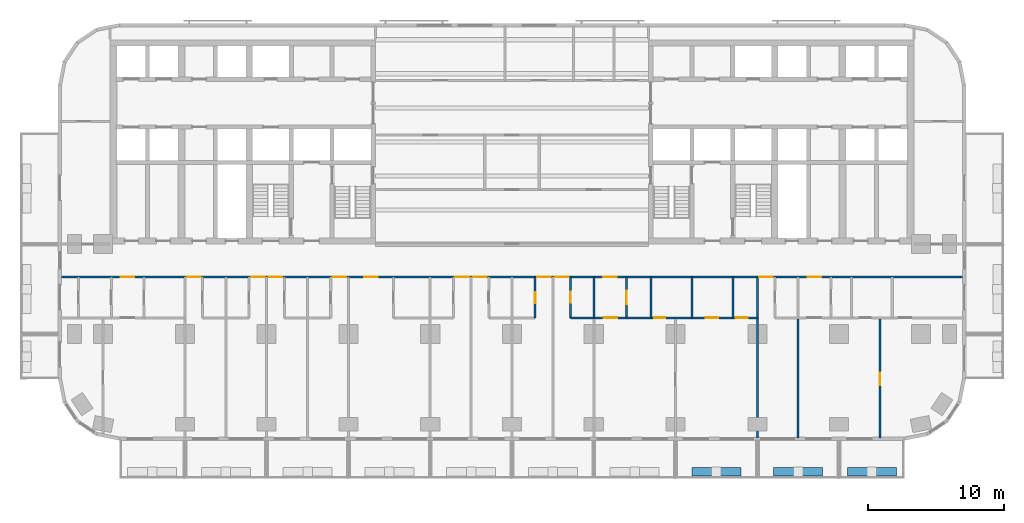
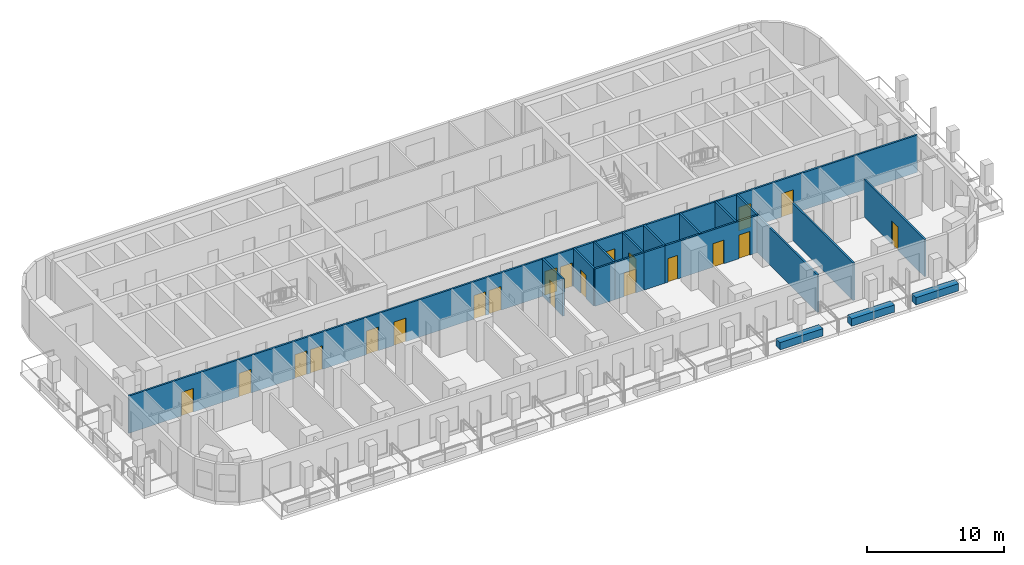
# One storey, part 6 of 15: 21 doors, 18 walls, 21 openings.
"""IFC4 building model written with IfcOpenShell, lengths in metres."""

from ifc_helpers import new_model, si_unit, direction, frame, frame_2d, origin, place, context, subcontext, project, spatial, rectangle, extrude, material, layer, layer_set, type_object, element, fill, save


model = new_model("IFC4")

# Units and contexts
model_context = context("Model", 3, precision=1e-05, world=origin(), true_north=direction((0.0, 1.0)))
body_context = subcontext(model_context, "Body", "Model", "MODEL_VIEW")
ifc_project = project(units=[si_unit("LENGTHUNIT", "METRE"), si_unit("AREAUNIT", "SQUARE_METRE"), si_unit("VOLUMEUNIT", "CUBIC_METRE"), si_unit("PLANEANGLEUNIT", "RADIAN"), si_unit("MASSUNIT", "GRAM", prefix="KILO")], contexts=[model_context])

# Site, building, storey
site_placement = place(None, origin())
site = spatial("IfcSite", under=ifc_project, at=site_placement, CompositionType="ELEMENT")
building_placement = place(site_placement, origin())
building = spatial("IfcBuilding", under=site, at=building_placement, Name="Torana Hotel and Residences", CompositionType="ELEMENT")
storey_placement = place(building_placement, frame((0.0, 0.0, 52.800048828125)))
storey = spatial("IfcBuildingStorey", under=building, at=storey_placement, Name="L12", CompositionType="ELEMENT", Elevation=52.800048828125)

# Wall, opening, door
ifc_material_1 = material(Name="Gypsum plaster")
ifc_layer_1 = layer(ifc_material_1, 0.014892578125, Name="Plaster", Category="finish")
ifc_material_2 = material(Name="Concrete blockwork", Category="masonry")
ifc_layer_2 = layer(ifc_material_2, 0.1201171875, Name="Blockwork", Category="structure")
ifc_layer_3 = layer(ifc_material_1, 0.014892578125, Name="Plaster", Category="finish")
ifc_layer_set_1 = layer_set([ifc_layer_1, ifc_layer_2, ifc_layer_3], Name="FIRE PARTITION 150 BLOCKWORK")
wall_type_1 = type_object("IfcWallType", Name="FIRE PARTITION 150 BLOCKWORK", PredefinedType="PARTITIONING", material=ifc_layer_set_1)
wall_1_placement = place(storey_placement, frame((8.39990234375, -20.39990234375, 0.0), z_axis=(0.0, 0.0, 1.0), x_axis=(0.0, 1.0, 0.0)))
wall_1 = element("IfcWall", 1, at=wall_1_placement, inside=storey, type_object=wall_type_1, Name="Partition L12", PredefinedType="PARTITIONING", context=body_context, shape_type="SweptSolid", body=[
    extrude(rectangle(XDim=3.0, YDim=0.14990234375, at=frame_2d((1.5, 0.0))), origin(), (0.0, 0.0, 1.0), 3.320068359375),
])
opening_1_placement = place(wall_1_placement, frame((1.0, 0.0, 0.0)))
opening_1 = element("IfcOpeningElement", 2, at=opening_1_placement, cuts=wall_1, Name="Opening L12-66", PredefinedType="OPENING", context=body_context, shape_type="SweptSolid", body=[
    extrude(rectangle(XDim=1.0, YDim=2.10009765625, at=frame_2d((0.5, 1.050048828125))), frame((0.0, 0.0849609375, 0.0), z_axis=(0.0, -1.0, 0.0), x_axis=(1.0, 0.0, 0.0)), (0.0, 0.0, 1.0), 0.169921875),
])
ifc_material_3 = material(Name="Steel S235", Category="steel")
door_type_1 = type_object("IfcDoorType", Name="ENTRY FIRE DOOR D6 1000x2100", OperationType="SINGLE_SWING_LEFT", PredefinedType="DOOR", material=ifc_material_3)
door_1_placement = place(opening_1_placement, frame((0.5, 0.0, 0.0), z_axis=(0.0, 0.0, 1.0), x_axis=(-1.0, 0.0, 0.0)))
door_1 = element("IfcDoor", 3, at=door_1_placement, inside=storey, type_object=door_type_1, Name="Door L12", OperationType="SINGLE_SWING_LEFT", OverallHeight=2.10009765625, OverallWidth=1.0, PredefinedType="DOOR", context=body_context, shape_type="SweptSolid", body=[
    extrude(rectangle(XDim=1.0, YDim=2.10009765625, at=frame_2d((0.0, 1.050048828125))), frame((0.0, -0.02490234375, 0.0), z_axis=(0.0, 1.0, 0.0), x_axis=(-1.0, 0.0, 0.0)), (0.0, 0.0, 1.0), 0.050048828125),
])
fill(opening_1, door_1)

# Wall
wall_2_placement = place(storey_placement, frame((6.0, -20.39990234375, 0.0), z_axis=(0.0, 0.0, 1.0), x_axis=(0.0, 1.0, 0.0)))
element("IfcWall", 4, at=wall_2_placement, inside=storey, type_object=wall_type_1, Name="Partition L12", PredefinedType="PARTITIONING", context=body_context, shape_type="SweptSolid", body=[
    extrude(rectangle(XDim=3.0, YDim=0.14990234375, at=frame_2d((1.5, 0.0))), origin(), (0.0, 0.0, 1.0), 3.320068359375),
])

# Wall, opening, door
wall_3_placement = place(storey_placement, frame((6.0, -20.39990234375, 0.0), z_axis=(0.0, 0.0, 1.0), x_axis=(1.0, 0.0, 0.0)))
wall_3 = element("IfcWall", 5, at=wall_3_placement, inside=storey, type_object=wall_type_1, Name="Partition L12", PredefinedType="PARTITIONING", context=body_context, shape_type="SweptSolid", body=[
    extrude(rectangle(XDim=2.39990234375, YDim=0.14990234375, at=frame_2d((1.199951171875, 0.0))), origin(), (0.0, 0.0, 1.0), 3.320068359375),
])
opening_2_placement = place(wall_3_placement, frame((0.72998046875, 0.0, 0.0)))
opening_2 = element("IfcOpeningElement", 6, at=opening_2_placement, cuts=wall_3, Name="Opening L12-67", PredefinedType="OPENING", context=body_context, shape_type="SweptSolid", body=[
    extrude(rectangle(XDim=1.0, YDim=2.10009765625, at=frame_2d((0.5, 1.050048828125))), frame((0.0, 0.0849609375, 0.0), z_axis=(0.0, -1.0, 0.0), x_axis=(1.0, 0.0, 0.0)), (0.0, 0.0, 1.0), 0.169921875),
])
door_2_placement = place(opening_2_placement, frame((0.5, 0.0, 0.0), z_axis=(0.0, 0.0, 1.0), x_axis=(-1.0, 0.0, 0.0)))
door_2 = element("IfcDoor", 7, at=door_2_placement, inside=storey, type_object=door_type_1, Name="Door L12", OperationType="SINGLE_SWING_LEFT", OverallHeight=2.10009765625, OverallWidth=1.0, PredefinedType="DOOR", context=body_context, shape_type="SweptSolid", body=[
    extrude(rectangle(XDim=1.0, YDim=2.10009765625, at=frame_2d((0.0, 1.050048828125))), frame((0.0, -0.02490234375, 0.0), z_axis=(0.0, 1.0, 0.0), x_axis=(-1.0, 0.0, 0.0)), (0.0, 0.0, 1.0), 0.050048828125),
])
fill(opening_2, door_2)

# Wall, openings, doors
wall_4_placement = place(storey_placement, frame((-33.1201171875, -17.39990234375, 0.0), z_axis=(0.0, 0.0, 1.0), x_axis=(1.0, 0.0, 0.0)))
wall_4 = element("IfcWall", 8, at=wall_4_placement, inside=storey, type_object=wall_type_1, Name="Partition L12", PredefinedType="PARTITIONING", context=body_context, shape_type="SweptSolid", body=[
    extrude(rectangle(XDim=66.240234375, YDim=0.14990234375, at=frame_2d((33.1201171875, 0.0))), origin(), (0.0, 0.0, 1.0), 3.320068359375),
])
opening_3_placement = place(wall_4_placement, frame((9.27001953125, 0.0, 0.0)))
opening_3 = element("IfcOpeningElement", 9, at=opening_3_placement, cuts=wall_4, Name="Opening L12-34", PredefinedType="OPENING", context=body_context, shape_type="SweptSolid", body=[
    extrude(rectangle(XDim=1.0, YDim=2.10009765625, at=frame_2d((0.5, 1.050048828125))), frame((0.0, 0.0849609375, 0.0), z_axis=(0.0, -1.0, 0.0), x_axis=(1.0, 0.0, 0.0)), (0.0, 0.0, 1.0), 0.169921875),
])
opening_4_placement = place(wall_4_placement, frame((13.969970703125, 0.0, 0.0)))
opening_4 = element("IfcOpeningElement", 10, at=opening_4_placement, cuts=wall_4, Name="Opening L12-35", PredefinedType="OPENING", context=body_context, shape_type="SweptSolid", body=[
    extrude(rectangle(XDim=1.0, YDim=2.10009765625, at=frame_2d((0.5, 1.050048828125))), frame((0.0, 0.0849609375, 0.0), z_axis=(0.0, -1.0, 0.0), x_axis=(1.0, 0.0, 0.0)), (0.0, 0.0, 1.0), 0.169921875),
])
opening_5_placement = place(wall_4_placement, frame((15.27001953125, 0.0, 0.0)))
opening_5 = element("IfcOpeningElement", 11, at=opening_5_placement, cuts=wall_4, Name="Opening L12-36", PredefinedType="OPENING", context=body_context, shape_type="SweptSolid", body=[
    extrude(rectangle(XDim=1.0, YDim=2.10009765625, at=frame_2d((0.5, 1.050048828125))), frame((0.0, 0.0849609375, 0.0), z_axis=(0.0, -1.0, 0.0), x_axis=(1.0, 0.0, 0.0)), (0.0, 0.0, 1.0), 0.169921875),
])
opening_6_placement = place(wall_4_placement, frame((19.969970703125, 0.0, 0.0)))
opening_6 = element("IfcOpeningElement", 12, at=opening_6_placement, cuts=wall_4, Name="Opening L12-37", PredefinedType="OPENING", context=body_context, shape_type="SweptSolid", body=[
    extrude(rectangle(XDim=1.0, YDim=2.10009765625, at=frame_2d((0.5, 1.050048828125))), frame((0.0, 0.0849609375, 0.0), z_axis=(0.0, -1.0, 0.0), x_axis=(1.0, 0.0, 0.0)), (0.0, 0.0, 1.0), 0.169921875),
])
opening_7_placement = place(wall_4_placement, frame((22.27001953125, 0.0, 0.0)))
opening_7 = element("IfcOpeningElement", 13, at=opening_7_placement, cuts=wall_4, Name="Opening L12-38", PredefinedType="OPENING", context=body_context, shape_type="SweptSolid", body=[
    extrude(rectangle(XDim=1.0, YDim=2.10009765625, at=frame_2d((0.5, 1.050048828125))), frame((0.0, 0.0849609375, 0.0), z_axis=(0.0, -1.0, 0.0), x_axis=(1.0, 0.0, 0.0)), (0.0, 0.0, 1.0), 0.169921875),
])
opening_8_placement = place(wall_4_placement, frame((28.969970703125, 0.0, 0.0)))
opening_8 = element("IfcOpeningElement", 14, at=opening_8_placement, cuts=wall_4, Name="Opening L12-39", PredefinedType="OPENING", context=body_context, shape_type="SweptSolid", body=[
    extrude(rectangle(XDim=1.0, YDim=2.10009765625, at=frame_2d((0.5, 1.050048828125))), frame((0.0, 0.0849609375, 0.0), z_axis=(0.0, -1.0, 0.0), x_axis=(1.0, 0.0, 0.0)), (0.0, 0.0, 1.0), 0.169921875),
])
opening_9_placement = place(wall_4_placement, frame((30.27001953125, 0.0, 0.0)))
opening_9 = element("IfcOpeningElement", 15, at=opening_9_placement, cuts=wall_4, Name="Opening L12-40", PredefinedType="OPENING", context=body_context, shape_type="SweptSolid", body=[
    extrude(rectangle(XDim=1.0, YDim=2.10009765625, at=frame_2d((0.5, 1.050048828125))), frame((0.0, 0.0849609375, 0.0), z_axis=(0.0, -1.0, 0.0), x_axis=(1.0, 0.0, 0.0)), (0.0, 0.0, 1.0), 0.169921875),
])
opening_10_placement = place(wall_4_placement, frame((34.969970703125, 0.0, 0.0)))
opening_10 = element("IfcOpeningElement", 16, at=opening_10_placement, cuts=wall_4, Name="Opening L12-41", PredefinedType="OPENING", context=body_context, shape_type="SweptSolid", body=[
    extrude(rectangle(XDim=1.0, YDim=2.10009765625, at=frame_2d((0.5, 1.050048828125))), frame((0.0, 0.0849609375, 0.0), z_axis=(0.0, -1.0, 0.0), x_axis=(1.0, 0.0, 0.0)), (0.0, 0.0, 1.0), 0.169921875),
])
opening_11_placement = place(wall_4_placement, frame((36.27001953125, 0.0, 0.0)))
opening_11 = element("IfcOpeningElement", 17, at=opening_11_placement, cuts=wall_4, Name="Opening L12-42", PredefinedType="OPENING", context=body_context, shape_type="SweptSolid", body=[
    extrude(rectangle(XDim=1.0, YDim=2.10009765625, at=frame_2d((0.5, 1.050048828125))), frame((0.0, 0.0849609375, 0.0), z_axis=(0.0, -1.0, 0.0), x_axis=(1.0, 0.0, 0.0)), (0.0, 0.0, 1.0), 0.169921875),
])
opening_12_placement = place(wall_4_placement, frame((39.820068359375, 0.0, 0.0)))
opening_12 = element("IfcOpeningElement", 18, at=opening_12_placement, cuts=wall_4, Name="Opening L12-43", PredefinedType="OPENING", context=body_context, shape_type="SweptSolid", body=[
    extrude(rectangle(XDim=1.0, YDim=2.10009765625, at=frame_2d((0.5, 1.050048828125))), frame((0.0, 0.0849609375, 0.0), z_axis=(0.0, -1.0, 0.0), x_axis=(1.0, 0.0, 0.0)), (0.0, 0.0, 1.0), 0.169921875),
])
opening_13_placement = place(wall_4_placement, frame((51.27001953125, 0.0, 0.0)))
opening_13 = element("IfcOpeningElement", 19, at=opening_13_placement, cuts=wall_4, Name="Opening L12-44", PredefinedType="OPENING", context=body_context, shape_type="SweptSolid", body=[
    extrude(rectangle(XDim=1.0, YDim=2.10009765625, at=frame_2d((0.5, 1.050048828125))), frame((0.0, 0.0849609375, 0.0), z_axis=(0.0, -1.0, 0.0), x_axis=(1.0, 0.0, 0.0)), (0.0, 0.0, 1.0), 0.169921875),
])
opening_14_placement = place(wall_4_placement, frame((4.419921875, 0.0, 0.0)))
opening_14 = element("IfcOpeningElement", 20, at=opening_14_placement, cuts=wall_4, Name="Opening L12-45", PredefinedType="OPENING", context=body_context, shape_type="SweptSolid", body=[
    extrude(rectangle(XDim=1.0, YDim=2.10009765625, at=frame_2d((0.5, 1.050048828125))), frame((0.0, 0.0849609375, 0.0), z_axis=(0.0, -1.0, 0.0), x_axis=(1.0, 0.0, 0.0)), (0.0, 0.0, 1.0), 0.169921875),
])
opening_15_placement = place(wall_4_placement, frame((54.820068359375, 0.0, 0.0)))
opening_15 = element("IfcOpeningElement", 21, at=opening_15_placement, cuts=wall_4, Name="Opening L12-46", PredefinedType="OPENING", context=body_context, shape_type="SweptSolid", body=[
    extrude(rectangle(XDim=1.0, YDim=2.10009765625, at=frame_2d((0.5, 1.050048828125))), frame((0.0, 0.0849609375, 0.0), z_axis=(0.0, -1.0, 0.0), x_axis=(1.0, 0.0, 0.0)), (0.0, 0.0, 1.0), 0.169921875),
])
door_3_placement = place(opening_3_placement, frame((0.5, 0.0, 0.0), z_axis=(0.0, 0.0, 1.0), x_axis=(-1.0, 0.0, 0.0)))
door_3 = element("IfcDoor", 22, at=door_3_placement, inside=storey, type_object=door_type_1, Name="Door L12", OperationType="SINGLE_SWING_LEFT", OverallHeight=2.10009765625, OverallWidth=1.0, PredefinedType="DOOR", context=body_context, shape_type="SweptSolid", body=[
    extrude(rectangle(XDim=1.0, YDim=2.10009765625, at=frame_2d((0.0, 1.050048828125))), frame((0.0, -0.02490234375, 0.0), z_axis=(0.0, 1.0, 0.0), x_axis=(-1.0, 0.0, 0.0)), (0.0, 0.0, 1.0), 0.050048828125),
])
fill(opening_3, door_3)
door_4_placement = place(opening_4_placement, frame((0.5, 0.0, 0.0), z_axis=(0.0, 0.0, 1.0), x_axis=(-1.0, 0.0, 0.0)))
door_4 = element("IfcDoor", 23, at=door_4_placement, inside=storey, type_object=door_type_1, Name="Door L12", OperationType="SINGLE_SWING_LEFT", OverallHeight=2.10009765625, OverallWidth=1.0, PredefinedType="DOOR", context=body_context, shape_type="SweptSolid", body=[
    extrude(rectangle(XDim=1.0, YDim=2.10009765625, at=frame_2d((0.0, 1.050048828125))), frame((0.0, -0.02490234375, 0.0), z_axis=(0.0, 1.0, 0.0), x_axis=(-1.0, 0.0, 0.0)), (0.0, 0.0, 1.0), 0.050048828125),
])
fill(opening_4, door_4)
door_5_placement = place(opening_5_placement, frame((0.5, 0.0, 0.0), z_axis=(0.0, 0.0, 1.0), x_axis=(-1.0, 0.0, 0.0)))
door_5 = element("IfcDoor", 24, at=door_5_placement, inside=storey, type_object=door_type_1, Name="Door L12", OperationType="SINGLE_SWING_LEFT", OverallHeight=2.10009765625, OverallWidth=1.0, PredefinedType="DOOR", context=body_context, shape_type="SweptSolid", body=[
    extrude(rectangle(XDim=1.0, YDim=2.10009765625, at=frame_2d((0.0, 1.050048828125))), frame((0.0, -0.02490234375, 0.0), z_axis=(0.0, 1.0, 0.0), x_axis=(-1.0, 0.0, 0.0)), (0.0, 0.0, 1.0), 0.050048828125),
])
fill(opening_5, door_5)
door_6_placement = place(opening_6_placement, frame((0.5, 0.0, 0.0), z_axis=(0.0, 0.0, 1.0), x_axis=(-1.0, 0.0, 0.0)))
door_6 = element("IfcDoor", 25, at=door_6_placement, inside=storey, type_object=door_type_1, Name="Door L12", OperationType="SINGLE_SWING_LEFT", OverallHeight=2.10009765625, OverallWidth=1.0, PredefinedType="DOOR", context=body_context, shape_type="SweptSolid", body=[
    extrude(rectangle(XDim=1.0, YDim=2.10009765625, at=frame_2d((0.0, 1.050048828125))), frame((0.0, -0.02490234375, 0.0), z_axis=(0.0, 1.0, 0.0), x_axis=(-1.0, 0.0, 0.0)), (0.0, 0.0, 1.0), 0.050048828125),
])
fill(opening_6, door_6)
door_7_placement = place(opening_7_placement, frame((0.5, 0.0, 0.0), z_axis=(0.0, 0.0, 1.0), x_axis=(-1.0, 0.0, 0.0)))
door_7 = element("IfcDoor", 26, at=door_7_placement, inside=storey, type_object=door_type_1, Name="Door L12", OperationType="SINGLE_SWING_LEFT", OverallHeight=2.10009765625, OverallWidth=1.0, PredefinedType="DOOR", context=body_context, shape_type="SweptSolid", body=[
    extrude(rectangle(XDim=1.0, YDim=2.10009765625, at=frame_2d((0.0, 1.050048828125))), frame((0.0, -0.02490234375, 0.0), z_axis=(0.0, 1.0, 0.0), x_axis=(-1.0, 0.0, 0.0)), (0.0, 0.0, 1.0), 0.050048828125),
])
fill(opening_7, door_7)
door_8_placement = place(opening_8_placement, frame((0.5, 0.0, 0.0), z_axis=(0.0, 0.0, 1.0), x_axis=(-1.0, 0.0, 0.0)))
door_8 = element("IfcDoor", 27, at=door_8_placement, inside=storey, type_object=door_type_1, Name="Door L12", OperationType="SINGLE_SWING_LEFT", OverallHeight=2.10009765625, OverallWidth=1.0, PredefinedType="DOOR", context=body_context, shape_type="SweptSolid", body=[
    extrude(rectangle(XDim=1.0, YDim=2.10009765625, at=frame_2d((0.0, 1.050048828125))), frame((0.0, -0.02490234375, 0.0), z_axis=(0.0, 1.0, 0.0), x_axis=(-1.0, 0.0, 0.0)), (0.0, 0.0, 1.0), 0.050048828125),
])
fill(opening_8, door_8)
door_9_placement = place(opening_9_placement, frame((0.5, 0.0, 0.0), z_axis=(0.0, 0.0, 1.0), x_axis=(-1.0, 0.0, 0.0)))
door_9 = element("IfcDoor", 28, at=door_9_placement, inside=storey, type_object=door_type_1, Name="Door L12", OperationType="SINGLE_SWING_LEFT", OverallHeight=2.10009765625, OverallWidth=1.0, PredefinedType="DOOR", context=body_context, shape_type="SweptSolid", body=[
    extrude(rectangle(XDim=1.0, YDim=2.10009765625, at=frame_2d((0.0, 1.050048828125))), frame((0.0, -0.02490234375, 0.0), z_axis=(0.0, 1.0, 0.0), x_axis=(-1.0, 0.0, 0.0)), (0.0, 0.0, 1.0), 0.050048828125),
])
fill(opening_9, door_9)
door_10_placement = place(opening_10_placement, frame((0.5, 0.0, 0.0), z_axis=(0.0, 0.0, 1.0), x_axis=(-1.0, 0.0, 0.0)))
door_10 = element("IfcDoor", 29, at=door_10_placement, inside=storey, type_object=door_type_1, Name="Door L12", OperationType="SINGLE_SWING_LEFT", OverallHeight=2.10009765625, OverallWidth=1.0, PredefinedType="DOOR", context=body_context, shape_type="SweptSolid", body=[
    extrude(rectangle(XDim=1.0, YDim=2.10009765625, at=frame_2d((0.0, 1.050048828125))), frame((0.0, -0.02490234375, 0.0), z_axis=(0.0, 1.0, 0.0), x_axis=(-1.0, 0.0, 0.0)), (0.0, 0.0, 1.0), 0.050048828125),
])
fill(opening_10, door_10)
door_11_placement = place(opening_11_placement, frame((0.5, 0.0, 0.0), z_axis=(0.0, 0.0, 1.0), x_axis=(-1.0, 0.0, 0.0)))
door_11 = element("IfcDoor", 30, at=door_11_placement, inside=storey, type_object=door_type_1, Name="Door L12", OperationType="SINGLE_SWING_LEFT", OverallHeight=2.10009765625, OverallWidth=1.0, PredefinedType="DOOR", context=body_context, shape_type="SweptSolid", body=[
    extrude(rectangle(XDim=1.0, YDim=2.10009765625, at=frame_2d((0.0, 1.050048828125))), frame((0.0, -0.02490234375, 0.0), z_axis=(0.0, 1.0, 0.0), x_axis=(-1.0, 0.0, 0.0)), (0.0, 0.0, 1.0), 0.050048828125),
])
fill(opening_11, door_11)
door_12_placement = place(opening_12_placement, origin())
door_12 = element("IfcDoor", 31, at=door_12_placement, inside=storey, type_object=door_type_1, Name="Door L12", OperationType="SINGLE_SWING_RIGHT", OverallHeight=2.10009765625, OverallWidth=1.0, PredefinedType="DOOR", context=body_context, shape_type="SweptSolid", body=[
    extrude(rectangle(XDim=1.0, YDim=2.10009765625, at=frame_2d((0.5, 1.050048828125))), frame((0.0, 0.02490234375, 0.0), z_axis=(0.0, -1.0, 0.0), x_axis=(1.0, 0.0, 0.0)), (0.0, 0.0, 1.0), 0.050048828125),
])
fill(opening_12, door_12)
door_13_placement = place(opening_13_placement, frame((0.5, 0.0, 0.0), z_axis=(0.0, 0.0, 1.0), x_axis=(-1.0, 0.0, 0.0)))
door_13 = element("IfcDoor", 32, at=door_13_placement, inside=storey, type_object=door_type_1, Name="Door L12", OperationType="SINGLE_SWING_LEFT", OverallHeight=2.10009765625, OverallWidth=1.0, PredefinedType="DOOR", context=body_context, shape_type="SweptSolid", body=[
    extrude(rectangle(XDim=1.0, YDim=2.10009765625, at=frame_2d((0.0, 1.050048828125))), frame((0.0, -0.02490234375, 0.0), z_axis=(0.0, 1.0, 0.0), x_axis=(-1.0, 0.0, 0.0)), (0.0, 0.0, 1.0), 0.050048828125),
])
fill(opening_13, door_13)
door_14_placement = place(opening_14_placement, origin())
door_14 = element("IfcDoor", 33, at=door_14_placement, inside=storey, type_object=door_type_1, Name="Door L12", OperationType="SINGLE_SWING_RIGHT", OverallHeight=2.10009765625, OverallWidth=1.0, PredefinedType="DOOR", context=body_context, shape_type="SweptSolid", body=[
    extrude(rectangle(XDim=1.0, YDim=2.10009765625, at=frame_2d((0.5, 1.050048828125))), frame((0.0, 0.02490234375, 0.0), z_axis=(0.0, -1.0, 0.0), x_axis=(1.0, 0.0, 0.0)), (0.0, 0.0, 1.0), 0.050048828125),
])
fill(opening_14, door_14)
door_15_placement = place(opening_15_placement, origin())
door_15 = element("IfcDoor", 34, at=door_15_placement, inside=storey, type_object=door_type_1, Name="Door L12", OperationType="SINGLE_SWING_RIGHT", OverallHeight=2.10009765625, OverallWidth=1.0, PredefinedType="DOOR", context=body_context, shape_type="SweptSolid", body=[
    extrude(rectangle(XDim=1.0, YDim=2.10009765625, at=frame_2d((0.5, 1.050048828125))), frame((0.0, 0.02490234375, 0.0), z_axis=(0.0, -1.0, 0.0), x_axis=(1.0, 0.0, 0.0)), (0.0, 0.0, 1.0), 0.050048828125),
])
fill(opening_15, door_15)

# Wall, opening, door
ifc_material_4 = material(Name="Gypsum plasterboard")
ifc_layer_4 = layer(ifc_material_4, 0.012451171875, Name="Plasterboard", Category="finish")
ifc_layer_5 = layer(ifc_material_4, 0.012451171875, Name="Plasterboard", Category="finish")
ifc_material_5 = material(Name="Steel S280GD", Category="steel")
ifc_layer_6 = layer(ifc_material_5, 0.10009765625, Name="Steel studs with mineral wool", Category="insulation")
ifc_layer_7 = layer(ifc_material_4, 0.012451171875, Name="Plasterboard", Category="finish")
ifc_layer_8 = layer(ifc_material_4, 0.012451171875, Name="Plasterboard", Category="finish")
ifc_layer_set_2 = layer_set([ifc_layer_4, ifc_layer_5, ifc_layer_6, ifc_layer_7, ifc_layer_8], Name="PARTITION 150 PLASTERBOARD")
wall_type_2 = type_object("IfcWallType", Name="PARTITION 150 PLASTERBOARD", PredefinedType="PARTITIONING", material=ifc_layer_set_2)
wall_5_placement = place(storey_placement, frame((27.0, -29.219970703125, 0.0), z_axis=(0.0, 0.0, 1.0), x_axis=(0.0, 1.0, 0.0)))
wall_5 = element("IfcWall", 35, at=wall_5_placement, inside=storey, type_object=wall_type_2, Name="Partition L12", PredefinedType="PARTITIONING", context=body_context, shape_type="SweptSolid", body=[
    extrude(rectangle(XDim=8.820068359375, YDim=0.14990234375, at=frame_2d((4.41015625, 0.0))), origin(), (0.0, 0.0, 1.0), 3.320068359375),
])
opening_16_placement = place(wall_5_placement, frame((3.8701171875, 0.0, 0.0)))
opening_16 = element("IfcOpeningElement", 36, at=opening_16_placement, cuts=wall_5, Name="Opening L12-82", PredefinedType="OPENING", context=body_context, shape_type="SweptSolid", body=[
    extrude(rectangle(XDim=0.89990234375, YDim=2.10009765625, at=frame_2d((0.449951171875, 1.050048828125))), frame((0.0, 0.0849609375, 0.0), z_axis=(0.0, -1.0, 0.0), x_axis=(1.0, 0.0, 0.0)), (0.0, 0.0, 1.0), 0.169921875),
])
ifc_material_6 = material(Name="Timber door, oiled ash", Category="wood")
door_type_2 = type_object("IfcDoorType", Name="ROOM DOOR D7 900x2100", OperationType="SINGLE_SWING_LEFT", PredefinedType="DOOR", material=ifc_material_6)
door_16_placement = place(opening_16_placement, origin())
door_16 = element("IfcDoor", 37, at=door_16_placement, inside=storey, type_object=door_type_2, Name="Door L12", OperationType="SINGLE_SWING_RIGHT", OverallHeight=2.10009765625, OverallWidth=0.89990234375, PredefinedType="DOOR", context=body_context, shape_type="SweptSolid", body=[
    extrude(rectangle(XDim=0.89990234375, YDim=2.10009765625, at=frame_2d((0.449951171875, 1.050048828125))), frame((0.0, 0.02490234375, 0.0), z_axis=(0.0, -1.0, 0.0), x_axis=(1.0, 0.0, 0.0)), (0.0, 0.0, 1.0), 0.050048828125),
])
fill(opening_16, door_16)

# Walls
wall_6_placement = place(storey_placement, frame((21.0, -29.219970703125, 0.0), z_axis=(0.0, 0.0, 1.0), x_axis=(0.0, 1.0, 0.0)))
element("IfcWall", 38, at=wall_6_placement, inside=storey, type_object=wall_type_2, Name="Partition L12", PredefinedType="PARTITIONING", context=body_context, shape_type="SweptSolid", body=[
    extrude(rectangle(XDim=8.820068359375, YDim=0.14990234375, at=frame_2d((4.41015625, 0.0))), origin(), (0.0, 0.0, 1.0), 3.320068359375),
])
wall_7_placement = place(storey_placement, frame((18.0, -29.219970703125, 0.0), z_axis=(0.0, 0.0, 1.0), x_axis=(0.0, 1.0, 0.0)))
element("IfcWall", 39, at=wall_7_placement, inside=storey, type_object=wall_type_2, Name="Partition L12", PredefinedType="PARTITIONING", context=body_context, shape_type="SweptSolid", body=[
    extrude(rectangle(XDim=11.820068359375, YDim=0.14990234375, at=frame_2d((5.91015625, 0.0))), origin(), (0.0, 0.0, 1.0), 3.320068359375),
])
for number, where, z_axis, x_axis, name in (
    (40, (16.199951171875, -20.39990234375, 0.0), (0.0, 0.0, 1.0), (0.0, 1.0, 0.0), "Partition L12"),
    (41, (13.199951171875, -20.39990234375, 0.0), (0.0, 0.0, 1.0), (0.0, 1.0, 0.0), "Partition L12"),
):
    element("IfcWall", number, at=place(storey_placement, frame(where, z_axis=z_axis, x_axis=x_axis)), inside=storey, type_object=wall_type_2, Name=name, PredefinedType="PARTITIONING", context=body_context, shape_type="SweptSolid", body=[
        extrude(rectangle(XDim=3.0, YDim=0.14990234375, at=frame_2d((1.5, 0.0))), origin(), (0.0, 0.0, 1.0), 3.320068359375),
    ])

# Wall, opening, door
wall_8_placement = place(storey_placement, frame((4.300048828125, -20.39990234375, 0.0), z_axis=(0.0, 0.0, 1.0), x_axis=(0.0, 1.0, 0.0)))
wall_8 = element("IfcWall", 42, at=wall_8_placement, inside=storey, type_object=wall_type_2, Name="Partition L12", PredefinedType="PARTITIONING", context=body_context, shape_type="SweptSolid", body=[
    extrude(rectangle(XDim=3.0, YDim=0.14990234375, at=frame_2d((1.5, 0.0))), origin(), (0.0, 0.0, 1.0), 3.320068359375),
])
opening_17_placement = place(wall_8_placement, frame((1.1201171875, 0.0, 0.0)))
opening_17 = element("IfcOpeningElement", 43, at=opening_17_placement, cuts=wall_8, Name="Opening L12-65", PredefinedType="OPENING", context=body_context, shape_type="SweptSolid", body=[
    extrude(rectangle(XDim=0.800048828125, YDim=2.10009765625, at=frame_2d((0.39990234375, 1.050048828125))), frame((0.0, 0.0849609375, 0.0), z_axis=(0.0, -1.0, 0.0), x_axis=(1.0, 0.0, 0.0)), (0.0, 0.0, 1.0), 0.169921875),
])
ifc_material_7 = material(Name="Timber door, painted", Category="wood")
door_type_3 = type_object("IfcDoorType", Name="BATH DOOR D13 800x2100", OperationType="SINGLE_SWING_LEFT", PredefinedType="DOOR", material=ifc_material_7)
door_17_placement = place(opening_17_placement, origin())
door_17 = element("IfcDoor", 44, at=door_17_placement, inside=storey, type_object=door_type_3, Name="Door L12", OperationType="SINGLE_SWING_LEFT", OverallHeight=2.10009765625, OverallWidth=0.800048828125, PredefinedType="DOOR", context=body_context, shape_type="SweptSolid", body=[
    extrude(rectangle(XDim=0.800048828125, YDim=2.10009765625, at=frame_2d((0.39990234375, 1.050048828125))), frame((0.0, 0.02490234375, 0.0), z_axis=(0.0, -1.0, 0.0), x_axis=(1.0, 0.0, 0.0)), (0.0, 0.0, 1.0), 0.050048828125),
])
fill(opening_17, door_17)

wall_9_placement = place(storey_placement, frame((1.699951171875, -20.39990234375, 0.0), z_axis=(0.0, 0.0, 1.0), x_axis=(0.0, 1.0, 0.0)))
wall_9 = element("IfcWall", 45, at=wall_9_placement, inside=storey, type_object=wall_type_2, Name="Partition L12", PredefinedType="PARTITIONING", context=body_context, shape_type="SweptSolid", body=[
    extrude(rectangle(XDim=3.0, YDim=0.14990234375, at=frame_2d((1.5, 0.0))), origin(), (0.0, 0.0, 1.0), 3.320068359375),
])
opening_18_placement = place(wall_9_placement, frame((1.080078125, 0.0, 0.0)))
opening_18 = element("IfcOpeningElement", 46, at=opening_18_placement, cuts=wall_9, Name="Opening L12-64", PredefinedType="OPENING", context=body_context, shape_type="SweptSolid", body=[
    extrude(rectangle(XDim=0.800048828125, YDim=2.10009765625, at=frame_2d((0.39990234375, 1.050048828125))), frame((0.0, 0.0849609375, 0.0), z_axis=(0.0, -1.0, 0.0), x_axis=(1.0, 0.0, 0.0)), (0.0, 0.0, 1.0), 0.169921875),
])
door_18_placement = place(opening_18_placement, origin())
door_18 = element("IfcDoor", 47, at=door_18_placement, inside=storey, type_object=door_type_3, Name="Door L12", OperationType="SINGLE_SWING_RIGHT", OverallHeight=2.10009765625, OverallWidth=0.800048828125, PredefinedType="DOOR", context=body_context, shape_type="SweptSolid", body=[
    extrude(rectangle(XDim=0.800048828125, YDim=2.10009765625, at=frame_2d((0.39990234375, 1.050048828125))), frame((0.0, 0.02490234375, 0.0), z_axis=(0.0, -1.0, 0.0), x_axis=(1.0, 0.0, 0.0)), (0.0, 0.0, 1.0), 0.050048828125),
])
fill(opening_18, door_18)

# Wall
wall_10_placement = place(storey_placement, frame((4.300048828125, -20.39990234375, 0.0), z_axis=(0.0, 0.0, 1.0), x_axis=(1.0, 0.0, 0.0)))
element("IfcWall", 48, at=wall_10_placement, inside=storey, type_object=wall_type_2, Name="Partition L12", PredefinedType="PARTITIONING", context=body_context, shape_type="SweptSolid", body=[
    extrude(rectangle(XDim=1.699951171875, YDim=0.14990234375, at=frame_2d((0.85009765625, 0.0))), origin(), (0.0, 0.0, 1.0), 3.320068359375),
])

# Wall, openings, doors
wall_11_placement = place(storey_placement, frame((10.199951171875, -20.39990234375, 0.0), z_axis=(0.0, 0.0, 1.0), x_axis=(1.0, 0.0, 0.0)))
wall_11 = element("IfcWall", 49, at=wall_11_placement, inside=storey, type_object=wall_type_2, Name="Partition L12", PredefinedType="PARTITIONING", context=body_context, shape_type="SweptSolid", body=[
    extrude(rectangle(XDim=7.800048828125, YDim=0.14990234375, at=frame_2d((3.89990234375, 0.0))), origin(), (0.0, 0.0, 1.0), 3.320068359375),
])
opening_19_placement = place(wall_11_placement, frame((0.25, 0.0, 0.0)))
opening_19 = element("IfcOpeningElement", 50, at=opening_19_placement, cuts=wall_11, Name="Opening L12-68", PredefinedType="OPENING", context=body_context, shape_type="SweptSolid", body=[
    extrude(rectangle(XDim=0.800048828125, YDim=2.10009765625, at=frame_2d((0.39990234375, 1.050048828125))), frame((0.0, 0.0849609375, 0.0), z_axis=(0.0, -1.0, 0.0), x_axis=(1.0, 0.0, 0.0)), (0.0, 0.0, 1.0), 0.169921875),
])
opening_20_placement = place(wall_11_placement, frame((4.030029296875, 0.0, 0.0)))
opening_20 = element("IfcOpeningElement", 51, at=opening_20_placement, cuts=wall_11, Name="Opening L12-69", PredefinedType="OPENING", context=body_context, shape_type="SweptSolid", body=[
    extrude(rectangle(XDim=0.89990234375, YDim=2.10009765625, at=frame_2d((0.449951171875, 1.050048828125))), frame((0.0, 0.0849609375, 0.0), z_axis=(0.0, -1.0, 0.0), x_axis=(1.0, 0.0, 0.0)), (0.0, 0.0, 1.0), 0.169921875),
])
opening_21_placement = place(wall_11_placement, frame((6.199951171875, 0.0, 0.0)))
opening_21 = element("IfcOpeningElement", 52, at=opening_21_placement, cuts=wall_11, Name="Opening L12-70", PredefinedType="OPENING", context=body_context, shape_type="SweptSolid", body=[
    extrude(rectangle(XDim=0.89990234375, YDim=2.10009765625, at=frame_2d((0.449951171875, 1.050048828125))), frame((0.0, 0.0849609375, 0.0), z_axis=(0.0, -1.0, 0.0), x_axis=(1.0, 0.0, 0.0)), (0.0, 0.0, 1.0), 0.169921875),
])
door_19_placement = place(opening_19_placement, origin())
door_19 = element("IfcDoor", 53, at=door_19_placement, inside=storey, type_object=door_type_3, Name="Door L12", OperationType="SINGLE_SWING_RIGHT", OverallHeight=2.10009765625, OverallWidth=0.800048828125, PredefinedType="DOOR", context=body_context, shape_type="SweptSolid", body=[
    extrude(rectangle(XDim=0.800048828125, YDim=2.10009765625, at=frame_2d((0.39990234375, 1.050048828125))), frame((0.0, 0.02490234375, 0.0), z_axis=(0.0, -1.0, 0.0), x_axis=(1.0, 0.0, 0.0)), (0.0, 0.0, 1.0), 0.050048828125),
])
fill(opening_19, door_19)
door_20_placement = place(opening_20_placement, origin())
door_20 = element("IfcDoor", 54, at=door_20_placement, inside=storey, type_object=door_type_2, Name="Door L12", OperationType="SINGLE_SWING_RIGHT", OverallHeight=2.10009765625, OverallWidth=0.89990234375, PredefinedType="DOOR", context=body_context, shape_type="SweptSolid", body=[
    extrude(rectangle(XDim=0.89990234375, YDim=2.10009765625, at=frame_2d((0.449951171875, 1.050048828125))), frame((0.0, 0.02490234375, 0.0), z_axis=(0.0, -1.0, 0.0), x_axis=(1.0, 0.0, 0.0)), (0.0, 0.0, 1.0), 0.050048828125),
])
fill(opening_20, door_20)
door_21_placement = place(opening_21_placement, origin())
door_21 = element("IfcDoor", 55, at=door_21_placement, inside=storey, type_object=door_type_2, Name="Door L12", OperationType="SINGLE_SWING_RIGHT", OverallHeight=2.10009765625, OverallWidth=0.89990234375, PredefinedType="DOOR", context=body_context, shape_type="SweptSolid", body=[
    extrude(rectangle(XDim=0.89990234375, YDim=2.10009765625, at=frame_2d((0.449951171875, 1.050048828125))), frame((0.0, 0.02490234375, 0.0), z_axis=(0.0, -1.0, 0.0), x_axis=(1.0, 0.0, 0.0)), (0.0, 0.0, 1.0), 0.050048828125),
])
fill(opening_21, door_21)

# Walls
ifc_material_8 = material(Name="Concrete C40/50 precast", Category="concrete")
ifc_layer_9 = layer(ifc_material_8, 0.10009765625, Name="Planter shell", Category="structure")
ifc_material_9 = material(Name="Root resistant membrane")
ifc_layer_10 = layer(ifc_material_9, 0.00390625, Name="Waterproofing membrane", Category="membrane")
ifc_material_10 = material(Name="Drainage board with filter fleece")
ifc_layer_11 = layer(ifc_material_10, 0.02001953125, Name="Drainage board", Category="drainage")
ifc_material_11 = material(Name="Growing medium")
ifc_layer_12 = layer(ifc_material_11, 0.47607421875, Name="Planting substrate", Category="soil")
ifc_layer_set_3 = layer_set([ifc_layer_9, ifc_layer_10, ifc_layer_11, ifc_layer_12], Name="PL1 BALCONY PLANTER 600")
wall_type_3 = type_object("IfcWallType", Name="PL1 BALCONY PLANTER 600", PredefinedType="USERDEFINED", material=ifc_layer_set_3)
for number, where, z_axis, x_axis, name in (
    (56, (16.800048828125, -31.699951171875, 0.0), (0.0, 0.0, 1.0), (-1.0, 0.0, 0.0), "Planter 08"),
    (57, (22.800048828125, -31.699951171875, 0.0), (0.0, 0.0, 1.0), (-1.0, 0.0, 0.0), "Planter 09"),
):
    element("IfcWall", number, at=place(storey_placement, frame(where, z_axis=z_axis, x_axis=x_axis)), inside=storey, type_object=wall_type_3, Name=name, ObjectType="PLANTER", PredefinedType="USERDEFINED", context=body_context, shape_type="SweptSolid", body=[
        extrude(rectangle(XDim=3.60009765625, YDim=0.60009765625, at=frame_2d((1.800048828125, 0.0))), origin(), (0.0, 0.0, 1.0), 0.64990234375),
    ])
wall_12_placement = place(storey_placement, frame((28.199951171875, -31.699951171875, 0.0), z_axis=(0.0, 0.0, 1.0), x_axis=(-1.0, 0.0, 0.0)))
element("IfcWall", 58, at=wall_12_placement, inside=storey, type_object=wall_type_3, Name="Planter 10", ObjectType="PLANTER", PredefinedType="USERDEFINED", context=body_context, shape_type="SweptSolid", body=[
    extrude(rectangle(XDim=3.599853515625, YDim=0.60009765625, at=frame_2d((1.7998046875, 0.0))), origin(), (0.0, 0.0, 1.0), 0.64990234375),
])
ifc_material_12 = material(Name="Ceramic tile on adhesive")
ifc_layer_13 = layer(ifc_material_12, 0.010009765625, Name="Wall tile", Category="finish")
ifc_material_13 = material(Name="Cement render")
ifc_layer_14 = layer(ifc_material_13, 0.010009765625, Name="Render", Category="finish")
ifc_layer_15 = layer(ifc_material_2, 0.110107421875, Name="Blockwork", Category="structure")
ifc_layer_16 = layer(ifc_material_13, 0.010009765625, Name="Render", Category="finish")
ifc_layer_17 = layer(ifc_material_12, 0.010009765625, Name="Wall tile", Category="finish")
ifc_layer_set_4 = layer_set([ifc_layer_13, ifc_layer_14, ifc_layer_15, ifc_layer_16, ifc_layer_17], Name="WC PARTITION 150")
wall_type_4 = type_object("IfcWallType", Name="WC PARTITION 150", PredefinedType="PLUMBINGWALL", material=ifc_layer_set_4)
wall_13_placement = place(storey_placement, frame((10.199951171875, -20.39990234375, 0.0), z_axis=(0.0, 0.0, 1.0), x_axis=(0.0, 1.0, 0.0)))
element("IfcWall", 59, at=wall_13_placement, inside=storey, type_object=wall_type_4, Name="Partition L12", PredefinedType="PLUMBINGWALL", context=body_context, shape_type="SweptSolid", body=[
    extrude(rectangle(XDim=3.0, YDim=0.14990234375, at=frame_2d((1.5, 0.0))), origin(), (0.0, 0.0, 1.0), 3.320068359375),
])
wall_14_placement = place(storey_placement, frame((8.39990234375, -20.39990234375, 0.0), z_axis=(0.0, 0.0, 1.0), x_axis=(1.0, 0.0, 0.0)))
element("IfcWall", 60, at=wall_14_placement, inside=storey, type_object=wall_type_4, Name="Partition L12", PredefinedType="PLUMBINGWALL", context=body_context, shape_type="SweptSolid", body=[
    extrude(rectangle(XDim=1.800048828125, YDim=0.14990234375, at=frame_2d((0.89990234375, 0.0))), origin(), (0.0, 0.0, 1.0), 3.320068359375),
])

save(model, "model.ifc")
